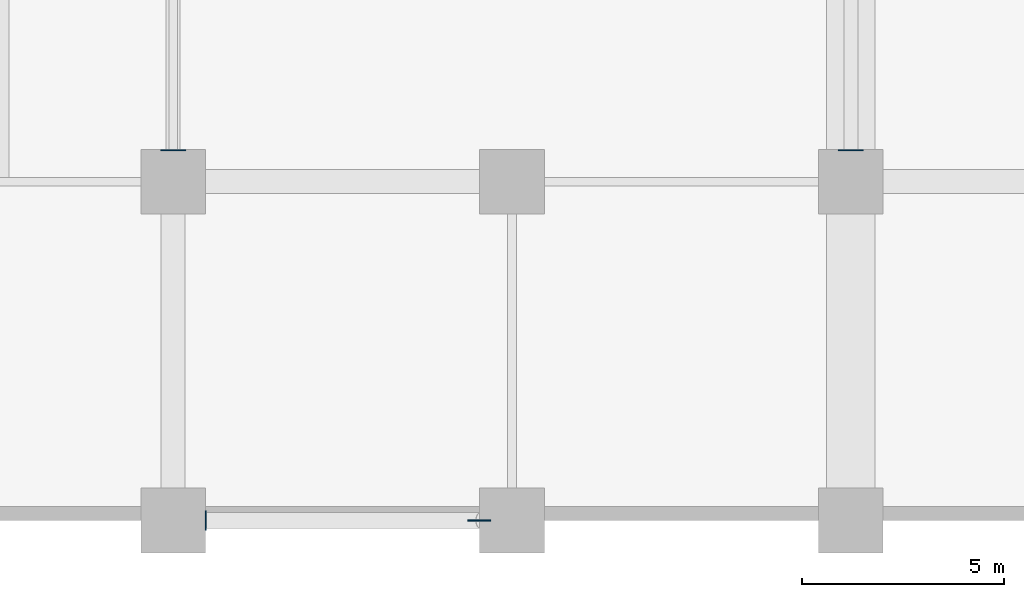
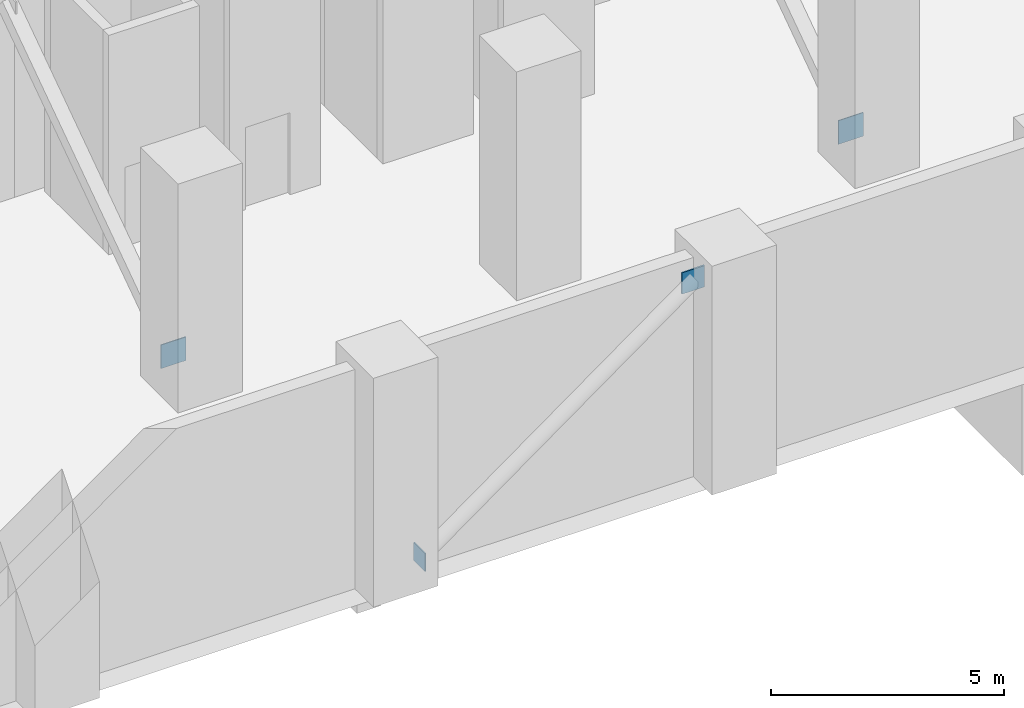
# One storey, part 7 of 20: 4 plates.
"""IFC4 building model written with IfcOpenShell, lengths in metres."""

from ifc_helpers import new_model, si_unit, direction, frame, origin, origin_2d, place, context, subcontext, project, spatial, rectangle, extrude, material, layer, layer_set, type_object, element, save


model = new_model("IFC4")

# Units and contexts
model_context = context("Model", 3, precision=1e-05, world=origin(), true_north=direction((0.0, 1.0)))
body_context = subcontext(model_context, "Body", "Model", "MODEL_VIEW")
ifc_project = project(units=[si_unit("LENGTHUNIT", "METRE"), si_unit("AREAUNIT", "SQUARE_METRE"), si_unit("VOLUMEUNIT", "CUBIC_METRE"), si_unit("PLANEANGLEUNIT", "RADIAN"), si_unit("MASSUNIT", "GRAM", prefix="KILO")], contexts=[model_context])

# Site, building, storey
site_placement = place(None, origin())
site = spatial("IfcSite", under=ifc_project, at=site_placement, CompositionType="ELEMENT")
building_placement = place(site_placement, origin())
building = spatial("IfcBuilding", under=site, at=building_placement, Name="Koriwani Terraces Tower", CompositionType="ELEMENT")
storey_placement = place(building_placement, frame((0.0, 0.0, 26.0)))
storey = spatial("IfcBuildingStorey", under=building, at=storey_placement, Name="L05", CompositionType="ELEMENT", Elevation=26.0)

# Plates
ifc_material = material(Name="Steel ASTM A572 Grade 50", Category="steel")
ifc_layer_1 = layer(ifc_material, 0.02490234375, Name="Steel ASTM A572 Grade 50")
ifc_layer_set_1 = layer_set([ifc_layer_1], Name="Steel ASTM A572 Grade 50")
plate_type_1 = type_object("IfcPlateType", Name="STEEL_CAP_PLATE_25", PredefinedType="USERDEFINED", material=ifc_layer_set_1)
for number, where, z_axis, x_axis, name in (
    (1, (42.0, 9.179931640625, 0.0400390625), (0.0, 0.0, 1.0), (0.0, 1.0, 0.0), "Outrigger truss hollow end cap plate L05-OE-S1"),
    (2, (58.800048828125, 9.179931640625, 0.0400390625), (0.0, 0.0, 1.0), (0.0, 1.0, 0.0), "Outrigger truss hollow end cap plate L05-OE-S2"),
):
    element("IfcPlate", number, at=place(storey_placement, frame(where, z_axis=z_axis, x_axis=x_axis)), inside=storey, type_object=plate_type_1, Name=name, ObjectType="FLANGE_PLATE", PredefinedType="USERDEFINED", context=body_context, shape_type="SweptSolid", body=[
        extrude(rectangle(XDim=0.02490234375, YDim=0.6201171875, at=origin_2d()), origin(), (0.0, 0.0, 1.0), 0.6201171875),
    ])
plate_1_placement = place(storey_placement, frame((42.8125, 0.0, 0.033447265625), z_axis=(0.0, 0.0, 1.0), x_axis=(1.0, 0.0, 0.0)))
element("IfcPlate", 3, at=plate_1_placement, inside=storey, type_object=plate_type_1, Name="Brace End Cap Plate BT-L05-BS3", ObjectType="FLANGE_PLATE", PredefinedType="USERDEFINED", context=body_context, shape_type="SweptSolid", body=[
    extrude(rectangle(XDim=0.02490234375, YDim=0.47998046875, at=origin_2d()), origin(), (0.0, 0.0, 1.0), 0.47998046875),
])
ifc_layer_2 = layer(ifc_material, 0.0400390625, Name="Steel ASTM A572 Grade 50")
ifc_layer_set_2 = layer_set([ifc_layer_2], Name="Steel ASTM A572 Grade 50")
plate_type_2 = type_object("IfcPlateType", Name="STEEL_GUSSET_PLATE_40", PredefinedType="USERDEFINED", material=ifc_layer_set_2)
plate_2_placement = place(storey_placement, frame((49.587646484375, 0.0, 4.896484375), z_axis=(0.0, 0.0, 1.0), x_axis=(1.0, 0.0, 0.0)))
element("IfcPlate", 4, at=plate_2_placement, inside=storey, type_object=plate_type_2, Name="Brace Node Gusset Plate BT-L05-BS3", ObjectType="GUSSET_PLATE", PredefinedType="USERDEFINED", context=body_context, shape_type="SweptSolid", body=[
    extrude(rectangle(XDim=0.56005859375, YDim=0.0400390625, at=origin_2d()), origin(), (0.0, 0.0, 1.0), 0.56005859375),
])

save(model, "model.ifc")
